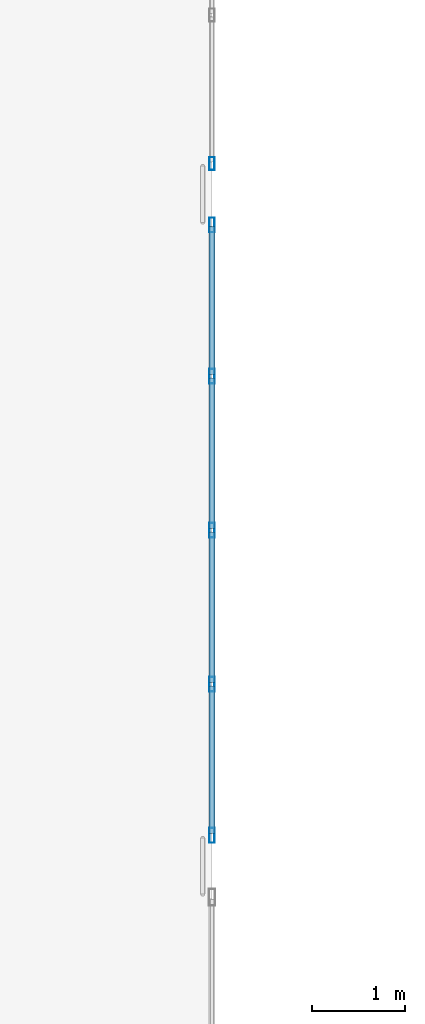
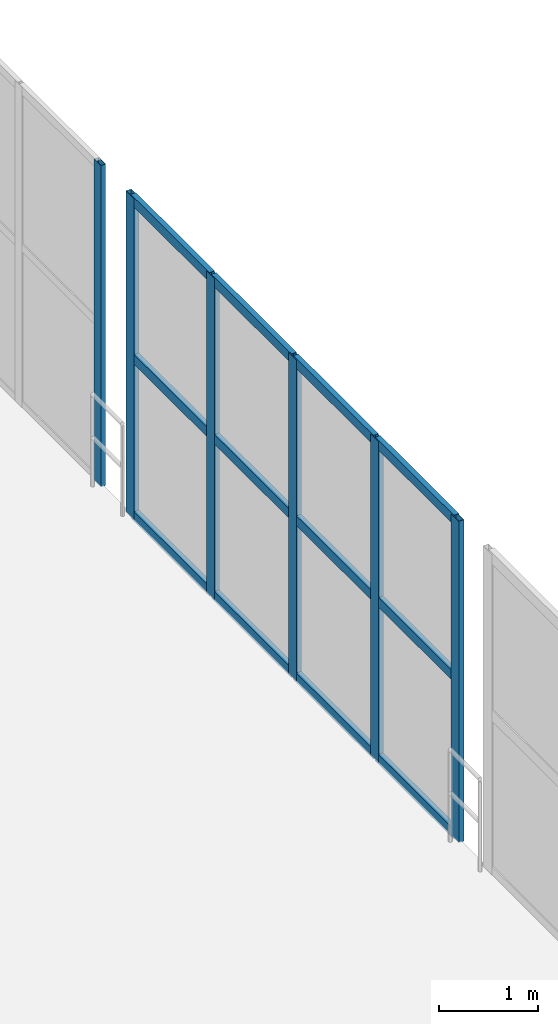
# One storey, part 54 of 153: 18 members, 2 elements without a shape of their own.
"""IFC4 building model written with IfcOpenShell, lengths in metres."""

from ifc_helpers import new_model, si_unit, direction, frame, origin, origin_2d, place, context, subcontext, project, spatial, hollow_rectangle, extrude, material, material_profile, profile_set, type_object, element, aggregate, save


model = new_model("IFC4")

# Units and contexts
model_context = context("Model", 3, precision=1e-05, world=origin(), true_north=direction((0.0, 1.0)))
body_context = subcontext(model_context, "Body", "Model", "MODEL_VIEW")
ifc_project = project(units=[si_unit("LENGTHUNIT", "METRE"), si_unit("AREAUNIT", "SQUARE_METRE"), si_unit("VOLUMEUNIT", "CUBIC_METRE"), si_unit("PLANEANGLEUNIT", "RADIAN"), si_unit("MASSUNIT", "GRAM", prefix="KILO")], contexts=[model_context])

# Site, building, storey
site_placement = place(None, origin())
site = spatial("IfcSite", under=ifc_project, at=site_placement, CompositionType="ELEMENT")
building_placement = place(site_placement, origin())
building = spatial("IfcBuilding", under=site, at=building_placement, Name="Qandorah Velis Arena", CompositionType="ELEMENT")
storey_placement = place(building_placement, frame((0.0, 0.0, 5.39990234375)))
storey = spatial("IfcBuildingStorey", under=building, at=storey_placement, Name="L01", CompositionType="ELEMENT", Elevation=5.39990234375)

# Curtain wall, member
ifc_material_1 = material(Name="Solar-control low-E double glazing", Category="glass")
curtain_wall_type_1 = type_object("IfcCurtainWallType", Name="ARC-CW-SYS12", PredefinedType="USERDEFINED", material=ifc_material_1)
curtain_wall_1_placement = place(storey_placement, origin())
curtain_wall_1 = element("IfcCurtainWall", 1, at=curtain_wall_1_placement, inside=storey, type_object=curtain_wall_type_1, Name="Unitised curtain wall L01-108", ObjectType="UNITISED CURTAIN WALL", PredefinedType="USERDEFINED")
ifc_material_2 = material(Name="Champagne-bronze anodized aluminium 6063-T6", Category="aluminium")
ifc_material_profile_1 = material_profile(ifc_material_2, hollow_rectangle(XDim=0.054931640625, YDim=0.139892578125, WallThickness=0.0029296875, at=origin_2d()), Name="ALU MULLION 55x140")
ifc_profile_set_1 = profile_set([ifc_material_profile_1], Name="Champagne-bronze anodized aluminium 6063-T6")
member_type_1 = type_object("IfcMemberType", Name="ARC-CWM-140", PredefinedType="MULLION", material=ifc_profile_set_1)
member_1_placement = place(storey_placement, frame((122.39990234375, 79.527587890625, -0.014892578125), z_axis=(0.0, 0.0, 1.0), x_axis=(-1.0, 0.0, 0.0)))
member_1 = element("IfcMember", 2, at=member_1_placement, type_object=member_type_1, Name="CW12 mullion 1", PredefinedType="MULLION", context=body_context, shape_type="SweptSolid", body=[
    extrude(hollow_rectangle(XDim=0.054931640625, YDim=0.139892578125, WallThickness=0.0029296875, at=origin_2d()), origin(), (0.0, 0.0, 1.0), 3.949951171875),
])
aggregate(curtain_wall_1, [member_1])

# Curtain wall, members
curtain_wall_type_2 = type_object("IfcCurtainWallType", Name="ARC-CW-SYS11", PredefinedType="USERDEFINED", material=ifc_material_1)
curtain_wall_2_placement = place(storey_placement, origin())
curtain_wall_2 = element("IfcCurtainWall", 3, at=curtain_wall_2_placement, inside=storey, type_object=curtain_wall_type_2, Name="Unitised curtain wall L01-107", ObjectType="UNITISED CURTAIN WALL", PredefinedType="USERDEFINED")
ifc_material_profile_2 = material_profile(ifc_material_2, hollow_rectangle(XDim=0.06005859375, YDim=0.159912109375, WallThickness=0.00341796875, at=origin_2d()), Name="ALU MULLION 60x160")
ifc_profile_set_2 = profile_set([ifc_material_profile_2], Name="Champagne-bronze anodized aluminium 6063-T6")
member_type_2 = type_object("IfcMemberType", Name="ARC-CWM-160", PredefinedType="MULLION", material=ifc_profile_set_2)
member_2_placement = place(storey_placement, frame((122.39990234375, 72.330078125, -0.014892578125), z_axis=(0.0, 0.0, 1.0), x_axis=(-1.0, 0.0, 0.0)))
member_2 = element("IfcMember", 4, at=member_2_placement, type_object=member_type_2, Name="CW11 mullion 1", PredefinedType="MULLION", context=body_context, shape_type="SweptSolid", body=[
    extrude(hollow_rectangle(XDim=0.06005859375, YDim=0.159912109375, WallThickness=0.00341796875, at=origin_2d()), origin(), (0.0, 0.0, 1.0), 3.949951171875),
])
member_3_placement = place(storey_placement, frame((122.39990234375, 73.949951171875, -0.014892578125), z_axis=(0.0, 0.0, 1.0), x_axis=(-1.0, 0.0, 0.0)))
member_3 = element("IfcMember", 5, at=member_3_placement, type_object=member_type_2, Name="CW11 mullion 2", PredefinedType="MULLION", context=body_context, shape_type="SweptSolid", body=[
    extrude(hollow_rectangle(XDim=0.06005859375, YDim=0.159912109375, WallThickness=0.00341796875, at=origin_2d()), origin(), (0.0, 0.0, 1.0), 3.949951171875),
])
member_4_placement = place(storey_placement, frame((122.39990234375, 75.60009765625, -0.014892578125), z_axis=(0.0, 0.0, 1.0), x_axis=(-1.0, 0.0, 0.0)))
member_4 = element("IfcMember", 6, at=member_4_placement, type_object=member_type_2, Name="CW11 mullion 3", PredefinedType="MULLION", context=body_context, shape_type="SweptSolid", body=[
    extrude(hollow_rectangle(XDim=0.06005859375, YDim=0.159912109375, WallThickness=0.00341796875, at=origin_2d()), origin(), (0.0, 0.0, 1.0), 3.949951171875),
])
member_5_placement = place(storey_placement, frame((122.39990234375, 77.25, -0.014892578125), z_axis=(0.0, 0.0, 1.0), x_axis=(-1.0, 0.0, 0.0)))
member_5 = element("IfcMember", 7, at=member_5_placement, type_object=member_type_2, Name="CW11 mullion 4", PredefinedType="MULLION", context=body_context, shape_type="SweptSolid", body=[
    extrude(hollow_rectangle(XDim=0.06005859375, YDim=0.159912109375, WallThickness=0.00341796875, at=origin_2d()), origin(), (0.0, 0.0, 1.0), 3.949951171875),
])
member_6_placement = place(storey_placement, frame((122.39990234375, 78.8701171875, -0.014892578125), z_axis=(0.0, 0.0, 1.0), x_axis=(-1.0, 0.0, 0.0)))
member_6 = element("IfcMember", 8, at=member_6_placement, type_object=member_type_2, Name="CW11 mullion 5", PredefinedType="MULLION", context=body_context, shape_type="SweptSolid", body=[
    extrude(hollow_rectangle(XDim=0.06005859375, YDim=0.159912109375, WallThickness=0.00341796875, at=origin_2d()), origin(), (0.0, 0.0, 1.0), 3.949951171875),
])
ifc_material_profile_3 = material_profile(ifc_material_2, hollow_rectangle(XDim=0.06005859375, YDim=0.1201171875, WallThickness=0.0029296875, at=origin_2d()), Name="ALU TRANSOM 60x120")
ifc_profile_set_3 = profile_set([ifc_material_profile_3], Name="Champagne-bronze anodized aluminium 6063-T6")
member_type_3 = type_object("IfcMemberType", Name="ARC-CWT-120", PredefinedType="USERDEFINED", material=ifc_profile_set_3)
member_7_placement = place(storey_placement, frame((122.39990234375, 72.347900390625, 0.030029296875), z_axis=(0.0, 1.0, 0.0), x_axis=(-1.0, 0.0, 0.0)))
member_7 = element("IfcMember", 9, at=member_7_placement, type_object=member_type_3, Name="CW11 transom 1.1", ObjectType="TRANSOM", PredefinedType="USERDEFINED", context=body_context, shape_type="SweptSolid", body=[
    extrude(hollow_rectangle(XDim=0.06005859375, YDim=0.1201171875, WallThickness=0.0029296875, at=origin_2d()), origin(), (0.0, 0.0, 1.0), 1.583984375),
])
member_8_placement = place(storey_placement, frame((122.39990234375, 72.347900390625, 1.960205078125), z_axis=(0.0, 1.0, 0.0), x_axis=(-1.0, 0.0, 0.0)))
member_8 = element("IfcMember", 10, at=member_8_placement, type_object=member_type_3, Name="CW11 transom 1.2", ObjectType="TRANSOM", PredefinedType="USERDEFINED", context=body_context, shape_type="SweptSolid", body=[
    extrude(hollow_rectangle(XDim=0.06005859375, YDim=0.1201171875, WallThickness=0.0029296875, at=origin_2d()), origin(), (0.0, 0.0, 1.0), 1.583984375),
])
member_9_placement = place(storey_placement, frame((122.39990234375, 72.347900390625, 3.89013671875), z_axis=(0.0, 1.0, 0.0), x_axis=(-1.0, 0.0, 0.0)))
member_9 = element("IfcMember", 11, at=member_9_placement, type_object=member_type_3, Name="CW11 transom 1.3", ObjectType="TRANSOM", PredefinedType="USERDEFINED", context=body_context, shape_type="SweptSolid", body=[
    extrude(hollow_rectangle(XDim=0.06005859375, YDim=0.1201171875, WallThickness=0.0029296875, at=origin_2d()), origin(), (0.0, 0.0, 1.0), 1.583984375),
])
member_10_placement = place(storey_placement, frame((122.39990234375, 73.968017578125, 0.030029296875), z_axis=(0.0, 1.0, 0.0), x_axis=(-1.0, 0.0, 0.0)))
member_10 = element("IfcMember", 12, at=member_10_placement, type_object=member_type_3, Name="CW11 transom 2.1", ObjectType="TRANSOM", PredefinedType="USERDEFINED", context=body_context, shape_type="SweptSolid", body=[
    extrude(hollow_rectangle(XDim=0.06005859375, YDim=0.1201171875, WallThickness=0.0029296875, at=origin_2d()), origin(), (0.0, 0.0, 1.0), 1.614013671875),
])
member_11_placement = place(storey_placement, frame((122.39990234375, 73.968017578125, 1.960205078125), z_axis=(0.0, 1.0, 0.0), x_axis=(-1.0, 0.0, 0.0)))
member_11 = element("IfcMember", 13, at=member_11_placement, type_object=member_type_3, Name="CW11 transom 2.2", ObjectType="TRANSOM", PredefinedType="USERDEFINED", context=body_context, shape_type="SweptSolid", body=[
    extrude(hollow_rectangle(XDim=0.06005859375, YDim=0.1201171875, WallThickness=0.0029296875, at=origin_2d()), origin(), (0.0, 0.0, 1.0), 1.614013671875),
])
member_12_placement = place(storey_placement, frame((122.39990234375, 73.968017578125, 3.89013671875), z_axis=(0.0, 1.0, 0.0), x_axis=(-1.0, 0.0, 0.0)))
member_12 = element("IfcMember", 14, at=member_12_placement, type_object=member_type_3, Name="CW11 transom 2.3", ObjectType="TRANSOM", PredefinedType="USERDEFINED", context=body_context, shape_type="SweptSolid", body=[
    extrude(hollow_rectangle(XDim=0.06005859375, YDim=0.1201171875, WallThickness=0.0029296875, at=origin_2d()), origin(), (0.0, 0.0, 1.0), 1.614013671875),
])
member_13_placement = place(storey_placement, frame((122.39990234375, 75.617919921875, 0.030029296875), z_axis=(0.0, 1.0, 0.0), x_axis=(-1.0, 0.0, 0.0)))
member_13 = element("IfcMember", 15, at=member_13_placement, type_object=member_type_3, Name="CW11 transom 3.1", ObjectType="TRANSOM", PredefinedType="USERDEFINED", context=body_context, shape_type="SweptSolid", body=[
    extrude(hollow_rectangle(XDim=0.06005859375, YDim=0.1201171875, WallThickness=0.0029296875, at=origin_2d()), origin(), (0.0, 0.0, 1.0), 1.614013671875),
])
member_14_placement = place(storey_placement, frame((122.39990234375, 75.617919921875, 1.960205078125), z_axis=(0.0, 1.0, 0.0), x_axis=(-1.0, 0.0, 0.0)))
member_14 = element("IfcMember", 16, at=member_14_placement, type_object=member_type_3, Name="CW11 transom 3.2", ObjectType="TRANSOM", PredefinedType="USERDEFINED", context=body_context, shape_type="SweptSolid", body=[
    extrude(hollow_rectangle(XDim=0.06005859375, YDim=0.1201171875, WallThickness=0.0029296875, at=origin_2d()), origin(), (0.0, 0.0, 1.0), 1.614013671875),
])
member_15_placement = place(storey_placement, frame((122.39990234375, 75.617919921875, 3.89013671875), z_axis=(0.0, 1.0, 0.0), x_axis=(-1.0, 0.0, 0.0)))
member_15 = element("IfcMember", 17, at=member_15_placement, type_object=member_type_3, Name="CW11 transom 3.3", ObjectType="TRANSOM", PredefinedType="USERDEFINED", context=body_context, shape_type="SweptSolid", body=[
    extrude(hollow_rectangle(XDim=0.06005859375, YDim=0.1201171875, WallThickness=0.0029296875, at=origin_2d()), origin(), (0.0, 0.0, 1.0), 1.614013671875),
])
member_16_placement = place(storey_placement, frame((122.39990234375, 77.26806640625, 0.030029296875), z_axis=(0.0, 1.0, 0.0), x_axis=(-1.0, 0.0, 0.0)))
member_16 = element("IfcMember", 18, at=member_16_placement, type_object=member_type_3, Name="CW11 transom 4.1", ObjectType="TRANSOM", PredefinedType="USERDEFINED", context=body_context, shape_type="SweptSolid", body=[
    extrude(hollow_rectangle(XDim=0.06005859375, YDim=0.1201171875, WallThickness=0.0029296875, at=origin_2d()), origin(), (0.0, 0.0, 1.0), 1.583984375),
])
member_17_placement = place(storey_placement, frame((122.39990234375, 77.26806640625, 1.960205078125), z_axis=(0.0, 1.0, 0.0), x_axis=(-1.0, 0.0, 0.0)))
member_17 = element("IfcMember", 19, at=member_17_placement, type_object=member_type_3, Name="CW11 transom 4.2", ObjectType="TRANSOM", PredefinedType="USERDEFINED", context=body_context, shape_type="SweptSolid", body=[
    extrude(hollow_rectangle(XDim=0.06005859375, YDim=0.1201171875, WallThickness=0.0029296875, at=origin_2d()), origin(), (0.0, 0.0, 1.0), 1.583984375),
])
member_18_placement = place(storey_placement, frame((122.39990234375, 77.26806640625, 3.89013671875), z_axis=(0.0, 1.0, 0.0), x_axis=(-1.0, 0.0, 0.0)))
member_18 = element("IfcMember", 20, at=member_18_placement, type_object=member_type_3, Name="CW11 transom 4.3", ObjectType="TRANSOM", PredefinedType="USERDEFINED", context=body_context, shape_type="SweptSolid", body=[
    extrude(hollow_rectangle(XDim=0.06005859375, YDim=0.1201171875, WallThickness=0.0029296875, at=origin_2d()), origin(), (0.0, 0.0, 1.0), 1.583984375),
])
aggregate(curtain_wall_2, [member_2, member_3, member_4, member_5, member_6, member_7, member_8, member_9, member_10, member_11, member_12, member_13, member_14, member_15, member_16, member_17, member_18])

save(model, "model.ifc")
